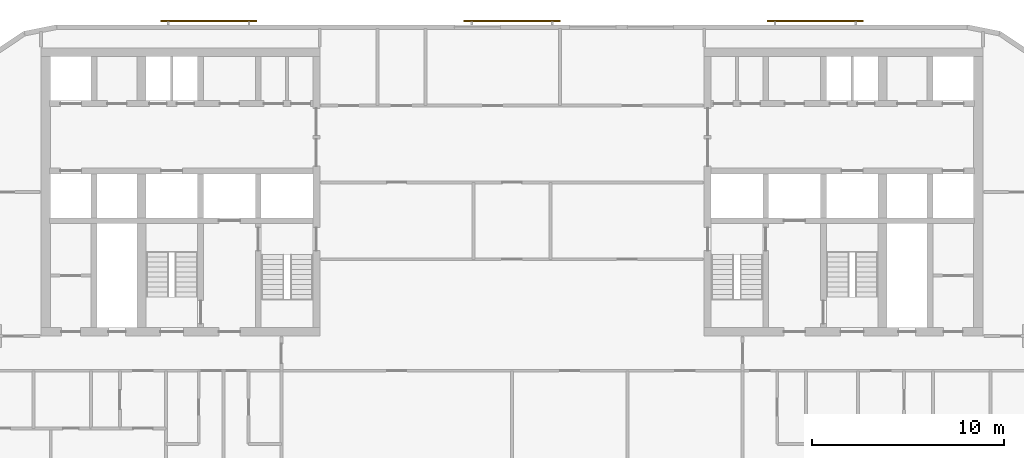
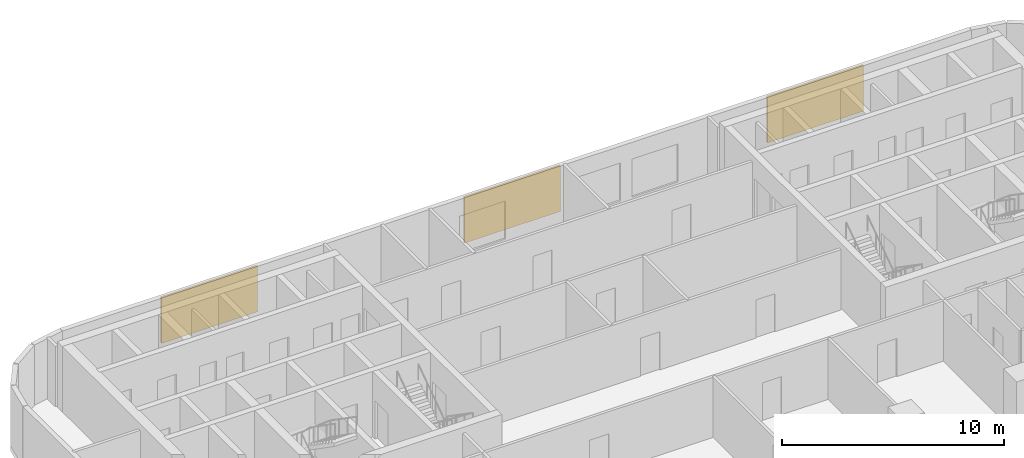
# One storey, part 11 of 12: 3 shading devices.
"""IFC4 building model written with IfcOpenShell, lengths in metres."""

from ifc_helpers import new_model, si_unit, direction, frame, origin, origin_2d, place, context, subcontext, project, spatial, rectangle, extrude, material, layer, layer_set, type_object, element, save


model = new_model("IFC4")

# Units and contexts
model_context = context("Model", 3, precision=1e-05, world=origin(), true_north=direction((0.0, 1.0)))
body_context = subcontext(model_context, "Body", "Model", "MODEL_VIEW")
ifc_project = project(units=[si_unit("LENGTHUNIT", "METRE"), si_unit("AREAUNIT", "SQUARE_METRE"), si_unit("VOLUMEUNIT", "CUBIC_METRE"), si_unit("PLANEANGLEUNIT", "RADIAN"), si_unit("MASSUNIT", "GRAM", prefix="KILO")], contexts=[model_context])

# Site, building, storey
site_placement = place(None, origin())
site = spatial("IfcSite", under=ifc_project, at=site_placement, CompositionType="ELEMENT")
building_placement = place(site_placement, origin())
building = spatial("IfcBuilding", under=site, at=building_placement, Name="Torana Hotel and Residences", CompositionType="ELEMENT")
storey_placement = place(building_placement, frame((0.0, 0.0, 112.800048828125)))
storey = spatial("IfcBuildingStorey", under=building, at=storey_placement, Name="L28", CompositionType="ELEMENT", Elevation=112.800048828125)

# Shading devices
ifc_material = material(Name="Concrete C40/50 precast", Category="concrete")
ifc_layer = layer(ifc_material, 0.10009765625)
ifc_layer_set = layer_set([ifc_layer], Name="SC1 PERFORATED BLOCK SCREEN PANEL 100")
shading_device_type = type_object("IfcShadingDeviceType", Name="SC1 PERFORATED BLOCK SCREEN PANEL 100", PredefinedType="USERDEFINED", material=ifc_layer_set)
for number, where, z_axis, x_axis, name in (
    (1, (15.78369140625, 1.39990234375, 0.5), (0.0, 0.0, 1.0), (-1.0, 0.0, 0.0), "Perforated block screen L28"),
    (2, (0.0, 1.39990234375, 0.5), (0.0, 0.0, 1.0), (-1.0, 0.0, 0.0), "Perforated block screen L28"),
    (3, (-15.78369140625, 1.39990234375, 0.5), (0.0, 0.0, 1.0), (-1.0, 0.0, 0.0), "Perforated block screen L28"),
):
    element("IfcShadingDevice", number, at=place(storey_placement, frame(where, z_axis=z_axis, x_axis=x_axis)), inside=storey, type_object=shading_device_type, Name=name, ObjectType="SCREEN", PredefinedType="USERDEFINED", context=body_context, shape_type="SweptSolid", body=[
        extrude(rectangle(XDim=5.0, YDim=0.10009765625, at=origin_2d()), origin(), (0.0, 0.0, 1.0), 2.52001953125),
    ])

save(model, "model.ifc")
